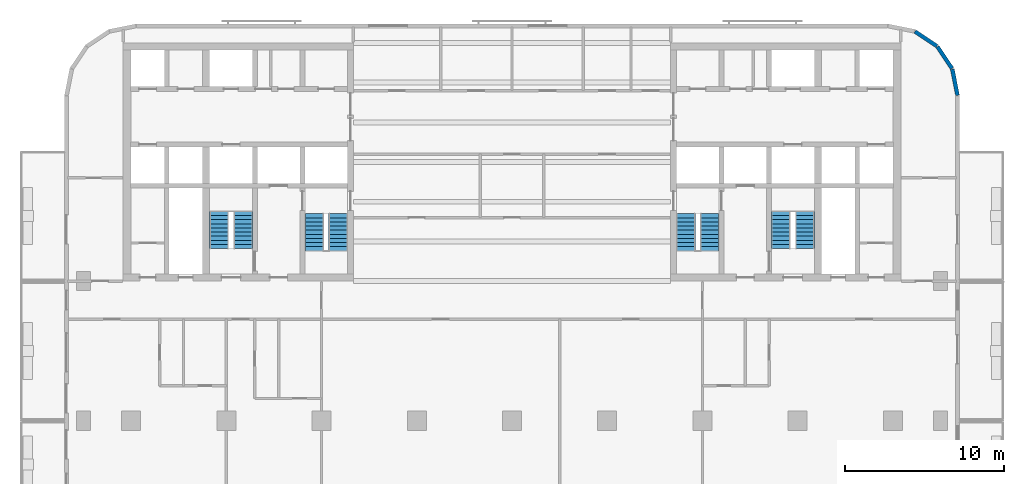
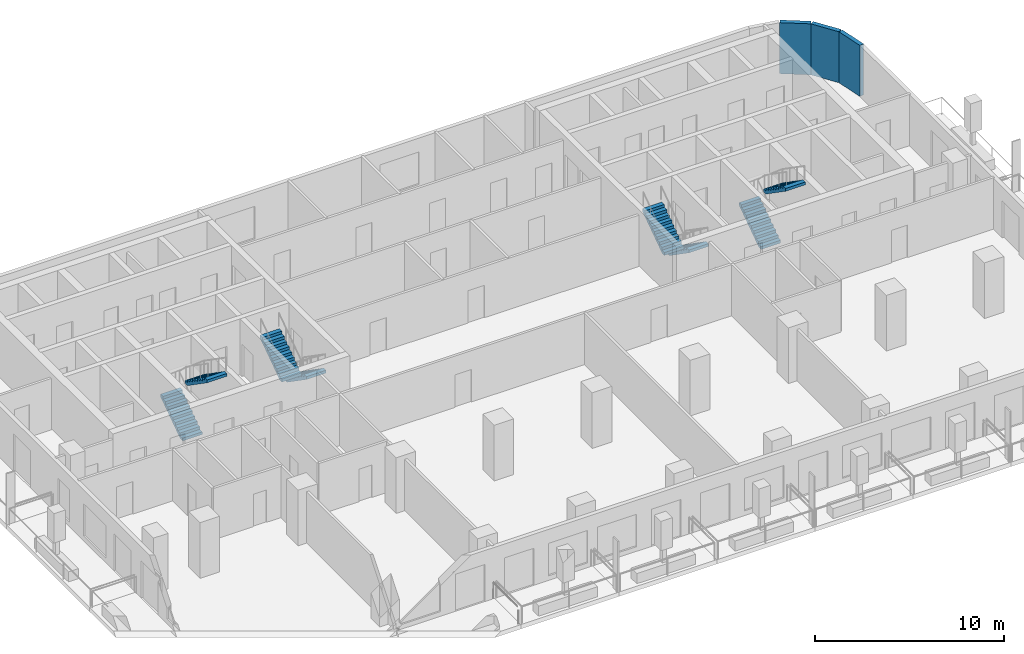
# One storey, part 7 of 11: 8 stair flights, 3 walls, 4 elements without a shape of their own.
"""IFC4 building model written with IfcOpenShell, lengths in metres."""

from ifc_helpers import new_model, si_unit, direction, frame, frame_2d, origin, place, context, subcontext, project, spatial, polyline, rectangle, outline, extrude, material, layer, layer_set, type_object, element, aggregate, save


model = new_model("IFC4")

# Units and contexts
model_context = context("Model", 3, precision=1e-05, world=origin(), true_north=direction((0.0, 1.0)))
body_context = subcontext(model_context, "Body", "Model", "MODEL_VIEW")
ifc_project = project(units=[si_unit("LENGTHUNIT", "METRE"), si_unit("AREAUNIT", "SQUARE_METRE"), si_unit("VOLUMEUNIT", "CUBIC_METRE"), si_unit("PLANEANGLEUNIT", "RADIAN"), si_unit("MASSUNIT", "GRAM", prefix="KILO")], contexts=[model_context])

# Site, building, storey
site_placement = place(None, origin())
site = spatial("IfcSite", under=ifc_project, at=site_placement, CompositionType="ELEMENT")
building_placement = place(site_placement, origin())
building = spatial("IfcBuilding", under=site, at=building_placement, Name="Torana Hotel and Residences", CompositionType="ELEMENT")
storey_placement = place(building_placement, frame((0.0, 0.0, 174.0)))
storey = spatial("IfcBuildingStorey", under=building, at=storey_placement, Name="L45", CompositionType="ELEMENT", Elevation=174.0)

# Walls
ifc_material_1 = material(Name="Black aluminium composite panel", Category="aluminium")
ifc_layer_1 = layer(ifc_material_1, 0.00390625, Name="Cladding", Category="cladding")
ifc_material_2 = material(Name="Ventilated air cavity")
ifc_layer_2 = layer(ifc_material_2, 0.0400390625, Name="Ventilated cavity", Category="cavity")
ifc_material_3 = material(Name="Mineral wool insulation")
ifc_layer_3 = layer(ifc_material_3, 0.090087890625, Name="Insulation", Category="insulation")
ifc_material_4 = material(Name="Steel S280GD", Category="steel")
ifc_layer_4 = layer(ifc_material_4, 0.092041015625, Name="Steel stud frame", Category="structure")
ifc_material_5 = material(Name="Fire rated plasterboard")
ifc_layer_5 = layer(ifc_material_5, 0.011962890625, Name="Inner board", Category="finish")
ifc_layer_6 = layer(ifc_material_5, 0.011962890625, Name="Second board", Category="finish")
ifc_layer_set = layer_set([ifc_layer_1, ifc_layer_2, ifc_layer_3, ifc_layer_4, ifc_layer_5, ifc_layer_6], Name="EW1 EXTERNAL WALL BLACK METAL CLAD 250")
wall_type = type_object("IfcWallType", Name="EW1 EXTERNAL WALL BLACK METAL CLAD 250", PredefinedType="SOLIDWALL", material=ifc_layer_set)
wall_placement = place(storey_placement, frame((28.072509765625, -3.30029296875, 0.0), z_axis=(0.0, 0.0, 1.0), x_axis=(-0.194999110559, 0.980803419081, 0.0)))
element("IfcWall", 1, at=wall_placement, inside=storey, type_object=wall_type, Name="External wall L45 e0.0", PredefinedType="SOLIDWALL", context=body_context, shape_type="SweptSolid", body=[
    extrude(rectangle(XDim=1.681396484375, YDim=0.25, at=frame_2d((0.8408203125, 0.0))), origin(), (0.0, 0.0, 1.0), 3.300048828125),
])
for number, where, z_axis, x_axis, name in (
    (2, (27.725830078125, -1.60595703125, 0.0), (0.0, 0.0, 1.0), (-0.55555029066, 0.831482937015, 0.0), "External wall L45 e0.1"),
    (3, (26.771240234375, -0.1943359375, 0.0), (0.0, 0.0, 1.0), (-0.831482937015, 0.55555029066, 0.0), "External wall L45 e0.2"),
):
    element("IfcWall", number, at=place(storey_placement, frame(where, z_axis=z_axis, x_axis=x_axis)), inside=storey, type_object=wall_type, Name=name, PredefinedType="SOLIDWALL", context=body_context, shape_type="SweptSolid", body=[
        extrude(rectangle(XDim=1.65625, YDim=0.25, at=frame_2d((0.828125, 0.0))), origin(), (0.0, 0.0, 1.0), 3.300048828125),
    ])

# Stair, stair flights
ifc_material_6 = material(Name="Concrete C40/50 precast", Category="concrete")
stair_type_1 = type_object("IfcStairType", Name="STAIR ST1 HALF TURN 1200", PredefinedType="HALF_TURN_STAIR", material=ifc_material_6)
stair_1_placement = place(storey_placement, origin())
stair_1 = element("IfcStair", 4, at=stair_1_placement, inside=storey, type_object=stair_type_1, Name="Stair ST1 L45", PredefinedType="HALF_TURN_STAIR")
ifc_material_7 = material(Name="Concrete C40/50 precast", Category="concrete")
stair_flight_type = type_object("IfcStairFlightType", Name="STAIR FLIGHT 1200 PRECAST", PredefinedType="STRAIGHT", material=ifc_material_7)
stair_flight_1_placement = place(storey_placement, frame((-10.949951171875, -10.75, 0.0), z_axis=(0.0, 0.0, 1.0), x_axis=(0.0, -1.0, 0.0)))
stair_flight_1 = element("IfcStairFlight", 5, at=stair_flight_1_placement, type_object=stair_flight_type, Name="ST1 flight 1", NumberOfRisers=10, NumberOfTreads=9, PredefinedType="STRAIGHT", RiserHeight=0.18, TreadLength=0.26, context=body_context, shape_type="SweptSolid", body=[
    extrude(outline(polyline([(0.0, 0.0), (0.0, 0.179931640625), (0.260009765625, 0.179931640625), (0.260009765625, 0.360107421875), (0.52001953125, 0.360107421875), (0.52001953125, 0.5400390625), (0.780029296875, 0.5400390625), (0.780029296875, 0.719970703125), (1.0400390625, 0.719970703125), (1.0400390625, 0.89990234375), (1.300048828125, 0.89990234375), (1.300048828125, 1.080078125), (1.56005859375, 1.080078125), (1.56005859375, 1.260009765625), (1.820068359375, 1.260009765625), (1.820068359375, 1.43994140625), (2.080078125, 1.43994140625), (2.080078125, 1.6201171875), (2.340087890625, 1.6201171875), (2.340087890625, 1.800048828125), (2.340087890625, 1.437744140625), (0.263427734375, 0.0), (0.0, 0.0)])), frame((0.0, 0.60009765625, 0.0), z_axis=(0.0, -1.0, 0.0), x_axis=(1.0, 0.0, 0.0)), (0.0, 0.0, 1.0), 1.199951171875),
])
stair_flight_2_placement = place(storey_placement, frame((-12.449951171875, -13.090087890625, 1.800048828125), z_axis=(0.0, 0.0, 1.0), x_axis=(0.0, 1.0, 0.0)))
stair_flight_2 = element("IfcStairFlight", 6, at=stair_flight_2_placement, type_object=stair_flight_type, Name="ST1 flight 2", NumberOfRisers=10, NumberOfTreads=9, PredefinedType="STRAIGHT", RiserHeight=0.18, TreadLength=0.26, context=body_context, shape_type="SweptSolid", body=[
    extrude(outline(polyline([(0.0, 0.0), (0.0, 0.179931640625), (0.260009765625, 0.179931640625), (0.260009765625, 0.360107421875), (0.52001953125, 0.360107421875), (0.52001953125, 0.5400390625), (0.780029296875, 0.5400390625), (0.780029296875, 0.719970703125), (1.0400390625, 0.719970703125), (1.0400390625, 0.89990234375), (1.300048828125, 0.89990234375), (1.300048828125, 1.080078125), (1.56005859375, 1.080078125), (1.56005859375, 1.260009765625), (1.820068359375, 1.260009765625), (1.820068359375, 1.43994140625), (2.080078125, 1.43994140625), (2.080078125, 1.6201171875), (2.340087890625, 1.6201171875), (2.340087890625, 1.800048828125), (2.340087890625, 1.437744140625), (0.263427734375, 0.0), (0.0, 0.0)])), frame((0.0, 0.60009765625, 0.0), z_axis=(0.0, -1.0, 0.0), x_axis=(1.0, 0.0, 0.0)), (0.0, 0.0, 1.0), 1.199951171875),
])
aggregate(stair_1, [stair_flight_1, stair_flight_2])

ifc_material_8 = material(Name="Concrete C40/50 precast", Category="concrete")
stair_type_2 = type_object("IfcStairType", Name="STAIR ST2 HALF TURN 1200", PredefinedType="HALF_TURN_STAIR", material=ifc_material_8)
stair_2_placement = place(storey_placement, origin())
stair_2 = element("IfcStair", 7, at=stair_2_placement, inside=storey, type_object=stair_type_2, Name="Stair ST2 L45", PredefinedType="HALF_TURN_STAIR")
stair_flight_3_placement = place(storey_placement, frame((-18.449951171875, -12.949951171875, 0.0), z_axis=(0.0, 0.0, 1.0), x_axis=(0.0, 1.0, 0.0)))
stair_flight_3 = element("IfcStairFlight", 8, at=stair_flight_3_placement, type_object=stair_flight_type, Name="ST2 flight 1", NumberOfRisers=10, NumberOfTreads=9, PredefinedType="STRAIGHT", RiserHeight=0.18, TreadLength=0.26, context=body_context, shape_type="SweptSolid", body=[
    extrude(outline(polyline([(0.0, 0.0), (0.0, 0.179931640625), (0.260009765625, 0.179931640625), (0.260009765625, 0.360107421875), (0.52001953125, 0.360107421875), (0.52001953125, 0.5400390625), (0.780029296875, 0.5400390625), (0.780029296875, 0.719970703125), (1.0400390625, 0.719970703125), (1.0400390625, 0.89990234375), (1.300048828125, 0.89990234375), (1.300048828125, 1.080078125), (1.56005859375, 1.080078125), (1.56005859375, 1.260009765625), (1.820068359375, 1.260009765625), (1.820068359375, 1.43994140625), (2.080078125, 1.43994140625), (2.080078125, 1.6201171875), (2.340087890625, 1.6201171875), (2.340087890625, 1.800048828125), (2.340087890625, 1.437744140625), (0.263427734375, 0.0), (0.0, 0.0)])), frame((0.0, 0.60009765625, 0.0), z_axis=(0.0, -1.0, 0.0), x_axis=(1.0, 0.0, 0.0)), (0.0, 0.0, 1.0), 1.199951171875),
])
stair_flight_4_placement = place(storey_placement, frame((-16.949951171875, -10.610107421875, 1.800048828125), z_axis=(0.0, 0.0, 1.0), x_axis=(0.0, -1.0, 0.0)))
stair_flight_4 = element("IfcStairFlight", 9, at=stair_flight_4_placement, type_object=stair_flight_type, Name="ST2 flight 2", NumberOfRisers=10, NumberOfTreads=9, PredefinedType="STRAIGHT", RiserHeight=0.18, TreadLength=0.26, context=body_context, shape_type="SweptSolid", body=[
    extrude(outline(polyline([(0.0, 0.0), (0.0, 0.179931640625), (0.260009765625, 0.179931640625), (0.260009765625, 0.360107421875), (0.52001953125, 0.360107421875), (0.52001953125, 0.5400390625), (0.780029296875, 0.5400390625), (0.780029296875, 0.719970703125), (1.0400390625, 0.719970703125), (1.0400390625, 0.89990234375), (1.300048828125, 0.89990234375), (1.300048828125, 1.080078125), (1.56005859375, 1.080078125), (1.56005859375, 1.260009765625), (1.820068359375, 1.260009765625), (1.820068359375, 1.43994140625), (2.080078125, 1.43994140625), (2.080078125, 1.6201171875), (2.340087890625, 1.6201171875), (2.340087890625, 1.800048828125), (2.340087890625, 1.437744140625), (0.263427734375, 0.0), (0.0, 0.0)])), frame((0.0, 0.60009765625, 0.0), z_axis=(0.0, -1.0, 0.0), x_axis=(1.0, 0.0, 0.0)), (0.0, 0.0, 1.0), 1.199951171875),
])
aggregate(stair_2, [stair_flight_3, stair_flight_4])

ifc_material_9 = material(Name="Concrete C40/50 precast", Category="concrete")
stair_type_3 = type_object("IfcStairType", Name="STAIR ST3 HALF TURN 1200", PredefinedType="HALF_TURN_STAIR", material=ifc_material_9)
stair_3_placement = place(storey_placement, origin())
stair_3 = element("IfcStair", 10, at=stair_3_placement, inside=storey, type_object=stair_type_3, Name="Stair ST3 L45", PredefinedType="HALF_TURN_STAIR")
stair_flight_5_placement = place(storey_placement, frame((12.449951171875, -10.75, 0.0), z_axis=(0.0, 0.0, 1.0), x_axis=(0.0, -1.0, 0.0)))
stair_flight_5 = element("IfcStairFlight", 11, at=stair_flight_5_placement, type_object=stair_flight_type, Name="ST3 flight 1", NumberOfRisers=10, NumberOfTreads=9, PredefinedType="STRAIGHT", RiserHeight=0.18, TreadLength=0.26, context=body_context, shape_type="SweptSolid", body=[
    extrude(outline(polyline([(0.0, 0.0), (0.0, 0.179931640625), (0.260009765625, 0.179931640625), (0.260009765625, 0.360107421875), (0.52001953125, 0.360107421875), (0.52001953125, 0.5400390625), (0.780029296875, 0.5400390625), (0.780029296875, 0.719970703125), (1.0400390625, 0.719970703125), (1.0400390625, 0.89990234375), (1.300048828125, 0.89990234375), (1.300048828125, 1.080078125), (1.56005859375, 1.080078125), (1.56005859375, 1.260009765625), (1.820068359375, 1.260009765625), (1.820068359375, 1.43994140625), (2.080078125, 1.43994140625), (2.080078125, 1.6201171875), (2.340087890625, 1.6201171875), (2.340087890625, 1.800048828125), (2.340087890625, 1.437744140625), (0.263427734375, 0.0), (0.0, 0.0)])), frame((0.0, 0.60009765625, 0.0), z_axis=(0.0, -1.0, 0.0), x_axis=(1.0, 0.0, 0.0)), (0.0, 0.0, 1.0), 1.199951171875),
])
stair_flight_6_placement = place(storey_placement, frame((10.949951171875, -13.090087890625, 1.800048828125), z_axis=(0.0, 0.0, 1.0), x_axis=(0.0, 1.0, 0.0)))
stair_flight_6 = element("IfcStairFlight", 12, at=stair_flight_6_placement, type_object=stair_flight_type, Name="ST3 flight 2", NumberOfRisers=10, NumberOfTreads=9, PredefinedType="STRAIGHT", RiserHeight=0.18, TreadLength=0.26, context=body_context, shape_type="SweptSolid", body=[
    extrude(outline(polyline([(0.0, 0.0), (0.0, 0.179931640625), (0.260009765625, 0.179931640625), (0.260009765625, 0.360107421875), (0.52001953125, 0.360107421875), (0.52001953125, 0.5400390625), (0.780029296875, 0.5400390625), (0.780029296875, 0.719970703125), (1.0400390625, 0.719970703125), (1.0400390625, 0.89990234375), (1.300048828125, 0.89990234375), (1.300048828125, 1.080078125), (1.56005859375, 1.080078125), (1.56005859375, 1.260009765625), (1.820068359375, 1.260009765625), (1.820068359375, 1.43994140625), (2.080078125, 1.43994140625), (2.080078125, 1.6201171875), (2.340087890625, 1.6201171875), (2.340087890625, 1.800048828125), (2.340087890625, 1.437744140625), (0.263427734375, 0.0), (0.0, 0.0)])), frame((0.0, 0.60009765625, 0.0), z_axis=(0.0, -1.0, 0.0), x_axis=(1.0, 0.0, 0.0)), (0.0, 0.0, 1.0), 1.199951171875),
])
aggregate(stair_3, [stair_flight_5, stair_flight_6])

ifc_material_10 = material(Name="Concrete C40/50 precast", Category="concrete")
stair_type_4 = type_object("IfcStairType", Name="STAIR ST4 HALF TURN 1200", PredefinedType="HALF_TURN_STAIR", material=ifc_material_10)
stair_4_placement = place(storey_placement, origin())
stair_4 = element("IfcStair", 13, at=stair_4_placement, inside=storey, type_object=stair_type_4, Name="Stair ST4 L45", PredefinedType="HALF_TURN_STAIR")
stair_flight_7_placement = place(storey_placement, frame((16.949951171875, -12.949951171875, 0.0), z_axis=(0.0, 0.0, 1.0), x_axis=(0.0, 1.0, 0.0)))
stair_flight_7 = element("IfcStairFlight", 14, at=stair_flight_7_placement, type_object=stair_flight_type, Name="ST4 flight 1", NumberOfRisers=10, NumberOfTreads=9, PredefinedType="STRAIGHT", RiserHeight=0.18, TreadLength=0.26, context=body_context, shape_type="SweptSolid", body=[
    extrude(outline(polyline([(0.0, 0.0), (0.0, 0.179931640625), (0.260009765625, 0.179931640625), (0.260009765625, 0.360107421875), (0.52001953125, 0.360107421875), (0.52001953125, 0.5400390625), (0.780029296875, 0.5400390625), (0.780029296875, 0.719970703125), (1.0400390625, 0.719970703125), (1.0400390625, 0.89990234375), (1.300048828125, 0.89990234375), (1.300048828125, 1.080078125), (1.56005859375, 1.080078125), (1.56005859375, 1.260009765625), (1.820068359375, 1.260009765625), (1.820068359375, 1.43994140625), (2.080078125, 1.43994140625), (2.080078125, 1.6201171875), (2.340087890625, 1.6201171875), (2.340087890625, 1.800048828125), (2.340087890625, 1.437744140625), (0.263427734375, 0.0), (0.0, 0.0)])), frame((0.0, 0.60009765625, 0.0), z_axis=(0.0, -1.0, 0.0), x_axis=(1.0, 0.0, 0.0)), (0.0, 0.0, 1.0), 1.199951171875),
])
stair_flight_8_placement = place(storey_placement, frame((18.449951171875, -10.610107421875, 1.800048828125), z_axis=(0.0, 0.0, 1.0), x_axis=(0.0, -1.0, 0.0)))
stair_flight_8 = element("IfcStairFlight", 15, at=stair_flight_8_placement, type_object=stair_flight_type, Name="ST4 flight 2", NumberOfRisers=10, NumberOfTreads=9, PredefinedType="STRAIGHT", RiserHeight=0.18, TreadLength=0.26, context=body_context, shape_type="SweptSolid", body=[
    extrude(outline(polyline([(0.0, 0.0), (0.0, 0.179931640625), (0.260009765625, 0.179931640625), (0.260009765625, 0.360107421875), (0.52001953125, 0.360107421875), (0.52001953125, 0.5400390625), (0.780029296875, 0.5400390625), (0.780029296875, 0.719970703125), (1.0400390625, 0.719970703125), (1.0400390625, 0.89990234375), (1.300048828125, 0.89990234375), (1.300048828125, 1.080078125), (1.56005859375, 1.080078125), (1.56005859375, 1.260009765625), (1.820068359375, 1.260009765625), (1.820068359375, 1.43994140625), (2.080078125, 1.43994140625), (2.080078125, 1.6201171875), (2.340087890625, 1.6201171875), (2.340087890625, 1.800048828125), (2.340087890625, 1.437744140625), (0.263427734375, 0.0), (0.0, 0.0)])), frame((0.0, 0.60009765625, 0.0), z_axis=(0.0, -1.0, 0.0), x_axis=(1.0, 0.0, 0.0)), (0.0, 0.0, 1.0), 1.199951171875),
])
aggregate(stair_4, [stair_flight_7, stair_flight_8])

save(model, "model.ifc")
